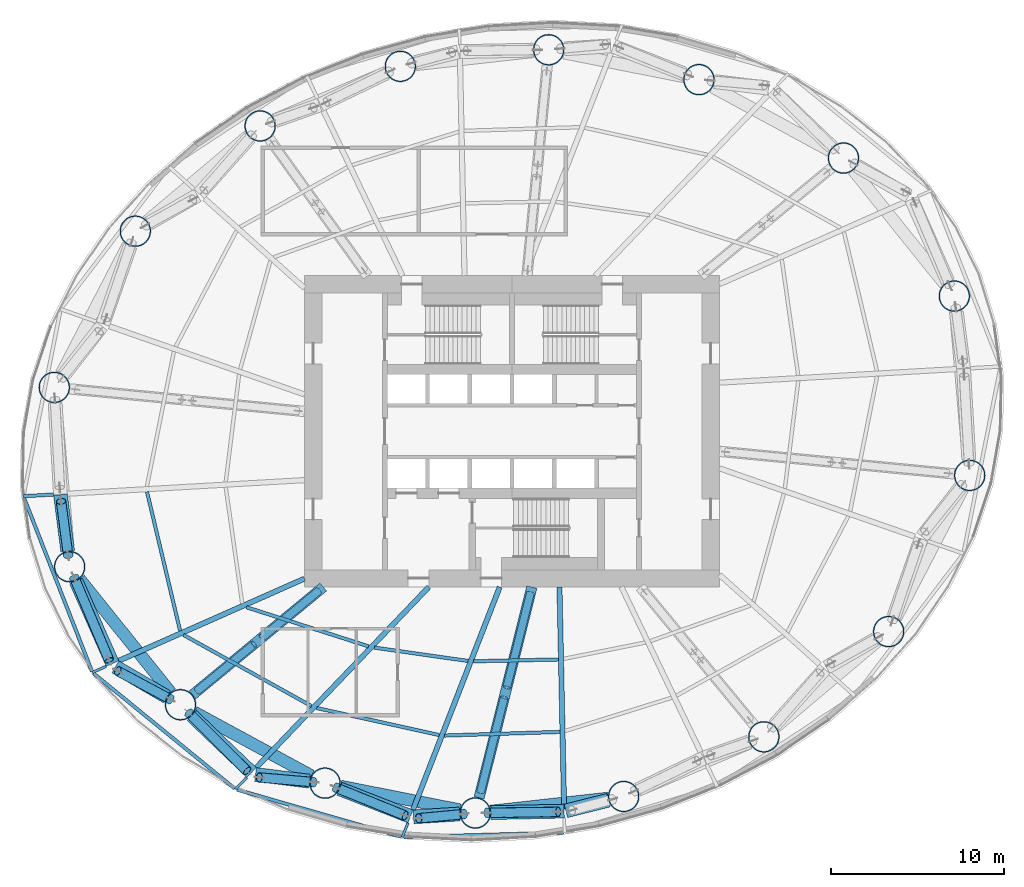
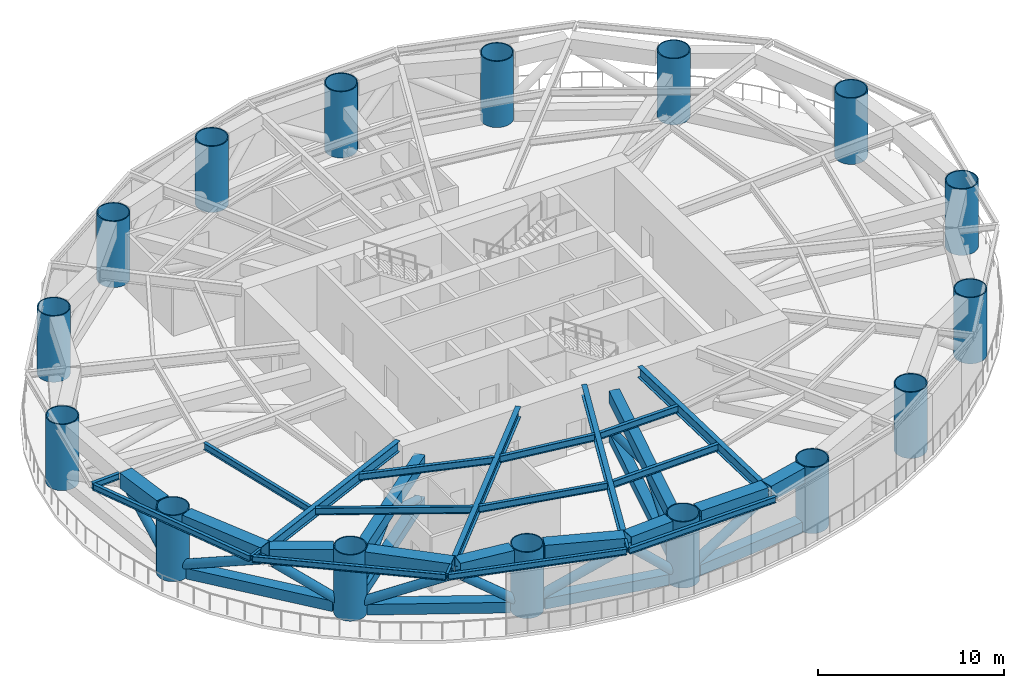
# One storey, part 1 of 15: 29 members, 19 beams, 16 columns.
"""IFC4 building model written with IfcOpenShell, lengths in metres."""

from ifc_helpers import new_model, si_unit, direction, frame, origin, origin_2d, place, context, subcontext, project, spatial, hollow_rectangle, hollow_circle, i_section, extrude, material, material_profile, profile_set, type_object, element, save


model = new_model("IFC4")

# Units and contexts
model_context = context("Model", 3, precision=1e-05, world=origin(), true_north=direction((0.0, 1.0)))
body_context = subcontext(model_context, "Body", "Model", "MODEL_VIEW")
ifc_project = project(units=[si_unit("LENGTHUNIT", "METRE"), si_unit("AREAUNIT", "SQUARE_METRE"), si_unit("VOLUMEUNIT", "CUBIC_METRE"), si_unit("PLANEANGLEUNIT", "RADIAN"), si_unit("MASSUNIT", "GRAM", prefix="KILO")], contexts=[model_context])

# Site, building, storey
site_placement = place(None, origin())
site = spatial("IfcSite", under=ifc_project, at=site_placement, CompositionType="ELEMENT")
building_placement = place(site_placement, origin())
building = spatial("IfcBuilding", under=site, at=building_placement, Name="Vermilion Reach Broadcast Tower", CompositionType="ELEMENT")
storey_placement = place(building_placement, frame((0.0, 0.0, 84.10009765625)))
storey = spatial("IfcBuildingStorey", under=building, at=storey_placement, Name="L18", CompositionType="ELEMENT", Elevation=84.10009765625)

# Columns
ifc_material_1 = material(Name="Concrete C80 infill in steel S460NL tube", Category="concrete")
ifc_material_profile_1 = material_profile(ifc_material_1, hollow_circle(Radius=0.89990234375, WallThickness=0.06005859375, at=origin_2d()), Name="Concrete C80 infill in steel S460NL tube CFT 1800x60")
ifc_profile_set_1 = profile_set([ifc_material_profile_1], Name="Concrete C80 infill in steel S460NL tube")
column_type = type_object("IfcColumnType", Name="MC1 CFT 1800x60", PredefinedType="COLUMN", material=ifc_profile_set_1)
for number, where, z_axis, x_axis, name in (
    (1, (19.575439453125, 7.823974609375, 0.0), (0.0, 0.0, 1.0), (1.0, 0.0, 0.0), "Mega-column MC1-01"),
    (2, (13.166259765625, 15.804931640625, 0.0), (0.0, 0.0, 1.0), (1.0, 0.0, 0.0), "Mega-column MC1-02"),
    (3, (4.809814453125, 20.3388671875, 0.0), (0.0, 0.0, 1.0), (1.0, 0.0, 0.0), "Mega-column MC1-03"),
    (4, (-3.87939453125, 22.06396484375, 0.0), (0.0, 0.0, 1.0), (1.0, 0.0, 0.0), "Mega-column MC1-04"),
    (5, (-12.45751953125, 21.108154296875, 0.0), (0.0, 0.0, 1.0), (1.0, 0.0, 0.0), "Mega-column MC1-05"),
    (6, (-20.563232421875, 17.660400390625, 0.0), (0.0, 0.0, 1.0), (1.0, 0.0, 0.0), "Mega-column MC1-06"),
    (7, (-27.77978515625, 11.57568359375, 0.0), (0.0, 0.0, 1.0), (1.0, 0.0, 0.0), "Mega-column MC1-07"),
    (8, (-32.464111328125, 2.54345703125, 0.0), (0.0, 0.0, 1.0), (1.0, 0.0, 0.0), "Mega-column MC1-08"),
    (9, (-31.575439453125, -7.823974609375, 0.0), (0.0, 0.0, 1.0), (1.0, 0.0, 0.0), "Mega-column MC1-09"),
    (10, (-25.166259765625, -15.804931640625, 0.0), (0.0, 0.0, 1.0), (1.0, 0.0, 0.0), "Mega-column MC1-10"),
    (11, (-16.809814453125, -20.3388671875, 0.0), (0.0, 0.0, 1.0), (1.0, 0.0, 0.0), "Mega-column MC1-11"),
    (12, (-8.12060546875, -22.06396484375, 0.0), (0.0, 0.0, 1.0), (1.0, 0.0, 0.0), "Mega-column MC1-12"),
    (13, (0.45751953125, -21.108154296875, 0.0), (0.0, 0.0, 1.0), (1.0, 0.0, 0.0), "Mega-column MC1-13"),
    (14, (8.563232421875, -17.660400390625, 0.0), (0.0, 0.0, 1.0), (1.0, 0.0, 0.0), "Mega-column MC1-14"),
    (15, (15.77978515625, -11.57568359375, 0.0), (0.0, 0.0, 1.0), (1.0, 0.0, 0.0), "Mega-column MC1-15"),
    (16, (20.464111328125, -2.54345703125, 0.0), (0.0, 0.0, 1.0), (1.0, 0.0, 0.0), "Mega-column MC1-16"),
):
    element("IfcColumn", number, at=place(storey_placement, frame(where, z_axis=z_axis, x_axis=x_axis)), inside=storey, type_object=column_type, Name=name, PredefinedType="COLUMN", context=body_context, shape_type="SweptSolid", body=[
        extrude(hollow_circle(Radius=0.89990234375, WallThickness=0.06005859375, at=origin_2d()), origin(), (0.0, 0.0, 1.0), 4.349853515625),
    ])

# Members
ifc_material_2 = material(Name="Steel S460NL", Category="steel")
ifc_material_profile_2 = material_profile(ifc_material_2, hollow_rectangle(XDim=0.699951171875, YDim=0.699951171875, WallThickness=0.034912109375, at=origin_2d()), Name="S460NL BOX 700x700x35")
ifc_profile_set_2 = profile_set([ifc_material_profile_2], Name="Steel S460NL")
member_type_1 = type_object("IfcMemberType", Name="BT1-BC BOX 700x700x35", PredefinedType="CHORD", material=ifc_profile_set_2)
member_1_placement = place(storey_placement, frame((-31.011962890625, -8.52587890625, 0.349853515625), z_axis=(0.626162157191, -0.779692858055, 0.0), x_axis=(0.779692858055, 0.626162157191, 0.0)))
element("IfcMember", 17, at=member_1_placement, inside=storey, type_object=member_type_1, Name="Belt truss bottom chord BT1-BC09", PredefinedType="CHORD", context=body_context, shape_type="SweptSolid", body=[
    extrude(hollow_rectangle(XDim=0.699951171875, YDim=0.699951171875, WallThickness=0.034912109375, at=origin_2d()), origin(), (0.0, 0.0, 1.0), 8.435791015625),
])
member_2_placement = place(storey_placement, frame((-24.375244140625, -16.234130859375, 0.349853515625), z_axis=(0.878962319551, -0.476891225344, 0.0), x_axis=(0.476891225344, 0.878962319551, 0.0)))
element("IfcMember", 18, at=member_2_placement, inside=storey, type_object=member_type_1, Name="Belt truss bottom chord BT1-BC10", PredefinedType="CHORD", context=body_context, shape_type="SweptSolid", body=[
    extrude(hollow_rectangle(XDim=0.699951171875, YDim=0.699951171875, WallThickness=0.034912109375, at=origin_2d()), origin(), (0.0, 0.0, 1.0), 7.707275390625),
])
member_3_placement = place(storey_placement, frame((-15.927001953125, -20.51416015625, 0.349853515625), z_axis=(0.980857717995, -0.194725799651, 0.0), x_axis=(0.194725799651, 0.980857717995, 0.0)))
element("IfcMember", 19, at=member_3_placement, inside=storey, type_object=member_type_1, Name="Belt truss bottom chord BT1-BC11", PredefinedType="CHORD", context=body_context, shape_type="SweptSolid", body=[
    extrude(hollow_rectangle(XDim=0.699951171875, YDim=0.699951171875, WallThickness=0.034912109375, at=origin_2d()), origin(), (0.0, 0.0, 1.0), 7.05859375),
])
member_4_placement = place(storey_placement, frame((-7.22607421875, -21.964111328125, 0.349853515625), z_axis=(0.993851439324, 0.110721798009, 0.0), x_axis=(-0.110721798009, 0.993851439324, 0.0)))
element("IfcMember", 20, at=member_4_placement, inside=storey, type_object=member_type_1, Name="Belt truss bottom chord BT1-BC12", PredefinedType="CHORD", context=body_context, shape_type="SweptSolid", body=[
    extrude(hollow_rectangle(XDim=0.699951171875, YDim=0.699951171875, WallThickness=0.034912109375, at=origin_2d()), origin(), (0.0, 0.0, 1.0), 6.8310546875),
])
ifc_material_3 = material(Name="Steel S355J2H", Category="steel")
ifc_material_profile_3 = material_profile(ifc_material_3, hollow_circle(Radius=0.279541015625, WallThickness=0.02490234375, at=origin_2d()), Name="S355J2H CHS 559x25")
ifc_profile_set_3 = profile_set([ifc_material_profile_3], Name="Steel S355J2H")
member_type_2 = type_object("IfcMemberType", Name="BT1-D CHS 559x25", PredefinedType="BRACE", material=ifc_profile_set_3)
member_5_placement = place(storey_placement, frame((-31.660400390625, -7.1796875, 0.7998046875), z_axis=(-0.102144749126, 0.772917338556, 0.626230978143), x_axis=(-0.991380295991, -0.131015681201, 0.0)))
element("IfcMember", 21, at=member_5_placement, inside=storey, type_object=member_type_2, Name="Belt truss diagonal BT1-D08B", PredefinedType="BRACE", context=body_context, shape_type="SweptSolid", body=[
    extrude(hollow_circle(Radius=0.279541015625, WallThickness=0.02490234375, at=origin_2d()), origin(), (0.0, 0.0, 1.0), 4.05615234375),
])
member_6_placement = place(storey_placement, frame((-31.32275390625, -8.423095703125, 0.7998046875), z_axis=(0.349386545183, -0.828605298732, 0.437426909276), x_axis=(0.921436355221, 0.388529333869, 0.0)))
element("IfcMember", 22, at=member_6_placement, inside=storey, type_object=member_type_2, Name="Belt truss diagonal BT1-D09A", PredefinedType="BRACE", context=body_context, shape_type="SweptSolid", body=[
    extrude(hollow_circle(Radius=0.279541015625, WallThickness=0.02490234375, at=origin_2d()), origin(), (0.0, 0.0, 1.0), 5.806884765625),
])
member_7_placement = place(storey_placement, frame((-25.739013671875, -15.49755859375, 0.7998046875), z_axis=(-0.710697232619, 0.381455049948, 0.591101927266), x_axis=(-0.472919079995, -0.881105864114, 0.0)))
element("IfcMember", 23, at=member_7_placement, inside=storey, type_object=member_type_2, Name="Belt truss diagonal BT1-D09B", PredefinedType="BRACE", context=body_context, shape_type="SweptSolid", body=[
    extrude(hollow_circle(Radius=0.279541015625, WallThickness=0.02490234375, at=origin_2d()), origin(), (0.0, 0.0, 1.0), 4.297119140625),
])
member_8_placement = place(storey_placement, frame((-24.705078125, -16.26318359375, 0.7998046875), z_axis=(0.626485584577, -0.622244648026, 0.469390466797), x_axis=(0.704701241679, 0.709504164875, 0.0)))
element("IfcMember", 24, at=member_8_placement, inside=storey, type_object=member_type_2, Name="Belt truss diagonal BT1-D10A", PredefinedType="BRACE", context=body_context, shape_type="SweptSolid", body=[
    extrude(hollow_circle(Radius=0.279541015625, WallThickness=0.02490234375, at=origin_2d()), origin(), (0.0, 0.0, 1.0), 5.411376953125),
])
member_9_placement = place(storey_placement, frame((-17.45751953125, -20.283203125, 0.7998046875), z_axis=(-0.777124142774, 0.066825458407, 0.625789441287), x_axis=(-0.085674539458, -0.996323177131, 0.0)))
element("IfcMember", 25, at=member_9_placement, inside=storey, type_object=member_type_2, Name="Belt truss diagonal BT1-D10B", PredefinedType="BRACE", context=body_context, shape_type="SweptSolid", body=[
    extrude(hollow_circle(Radius=0.279541015625, WallThickness=0.02490234375, at=origin_2d()), origin(), (0.0, 0.0, 1.0), 4.058837890625),
])
member_10_placement = place(storey_placement, frame((-16.20751953125, -20.583251953125, 0.7998046875), z_axis=(0.800150353809, -0.324404937094, 0.504500592754), x_axis=(0.375724663225, 0.926731340489, 0.0)))
element("IfcMember", 26, at=member_10_placement, inside=storey, type_object=member_type_2, Name="Belt truss diagonal BT1-D11A", PredefinedType="BRACE", context=body_context, shape_type="SweptSolid", body=[
    extrude(hollow_circle(Radius=0.279541015625, WallThickness=0.02490234375, at=origin_2d()), origin(), (0.0, 0.0, 1.0), 5.03466796875),
])
member_11_placement = place(storey_placement, frame((-8.767822265625, -22.124755859375, 0.7998046875), z_axis=(-0.717190475774, -0.06759910229, 0.693590789175), x_axis=(0.093839520276, -0.995587336417, 0.0)))
element("IfcMember", 27, at=member_11_placement, inside=storey, type_object=member_type_2, Name="Belt truss diagonal BT1-D11B", PredefinedType="BRACE", context=body_context, shape_type="SweptSolid", body=[
    extrude(hollow_circle(Radius=0.279541015625, WallThickness=0.02490234375, at=origin_2d()), origin(), (0.0, 0.0, 1.0), 3.662109375),
])
member_12_placement = place(storey_placement, frame((-7.470703125, -22.05517578125, 0.7998046875), z_axis=(0.852272311599, 0.011360279706, 0.522975000288), x_axis=(-0.013328217377, 0.999911175366, 0.0)))
element("IfcMember", 28, at=member_12_placement, inside=storey, type_object=member_type_2, Name="Belt truss diagonal BT1-D12A", PredefinedType="BRACE", context=body_context, shape_type="SweptSolid", body=[
    extrude(hollow_circle(Radius=0.279541015625, WallThickness=0.02490234375, at=origin_2d()), origin(), (0.0, 0.0, 1.0), 4.85693359375),
])
ifc_material_4 = material(Name="Steel S460NL", Category="steel")
ifc_material_profile_4 = material_profile(ifc_material_4, hollow_rectangle(XDim=0.800048828125, YDim=1.0, WallThickness=0.0400390625, at=origin_2d()), Name="S460NL BOX 800x1000x40")
ifc_profile_set_4 = profile_set([ifc_material_profile_4], Name="Steel S460NL")
member_type_3 = type_object("IfcMemberType", Name="BT1-TC BOX 800x1000x40", PredefinedType="CHORD", material=ifc_profile_set_4)
member_13_placement = place(storey_placement, frame((-32.1064453125, -3.664794921875, 3.849853515625), z_axis=(0.126642784714, -0.991948388315, 0.0), x_axis=(0.991948388315, 0.126642784714, 0.0)))
element("IfcMember", 29, at=member_13_placement, inside=storey, type_object=member_type_3, Name="Belt truss top chord BT1-TC16", PredefinedType="CHORD", context=body_context, shape_type="SweptSolid", body=[
    extrude(hollow_rectangle(XDim=0.800048828125, YDim=1.0, WallThickness=0.0400390625, at=origin_2d()), origin(), (0.0, 0.0, 1.0), 3.282958984375),
])
member_14_placement = place(storey_placement, frame((-31.207275390625, -8.65625, 3.849853515625), z_axis=(0.404643107068, -0.914474688497, 0.0), x_axis=(0.914474688497, 0.404643107068, 0.0)))
element("IfcMember", 30, at=member_14_placement, inside=storey, type_object=member_type_3, Name="Belt truss top chord BT1-TC17", PredefinedType="CHORD", context=body_context, shape_type="SweptSolid", body=[
    extrude(hollow_rectangle(XDim=0.800048828125, YDim=1.0, WallThickness=0.0400390625, at=origin_2d()), origin(), (0.0, 0.0, 1.0), 5.212890625),
])
member_15_placement = place(storey_placement, frame((-28.927001953125, -13.6142578125, 3.849853515625), z_axis=(0.86407971885, -0.503354983557, 0.0), x_axis=(0.503354983557, 0.86407971885, 0.0)))
element("IfcMember", 31, at=member_15_placement, inside=storey, type_object=member_type_3, Name="Belt truss top chord BT1-TC18", PredefinedType="CHORD", context=body_context, shape_type="SweptSolid", body=[
    extrude(hollow_rectangle(XDim=0.800048828125, YDim=1.0, WallThickness=0.0400390625, at=origin_2d()), origin(), (0.0, 0.0, 1.0), 3.442138671875),
])
member_16_placement = place(storey_placement, frame((-24.50830078125, -16.433837890625, 3.849853515625), z_axis=(0.722984436357, -0.690864317204, 0.0), x_axis=(0.690864317204, 0.722984436357, 0.0)))
element("IfcMember", 32, at=member_16_placement, inside=storey, type_object=member_type_3, Name="Belt truss top chord BT1-TC19", PredefinedType="CHORD", context=body_context, shape_type="SweptSolid", body=[
    extrude(hollow_rectangle(XDim=0.800048828125, YDim=1.0, WallThickness=0.0400390625, at=origin_2d()), origin(), (0.0, 0.0, 1.0), 4.765625),
])
member_17_placement = place(storey_placement, frame((-20.8271484375, -19.838134765625, 3.849853515625), z_axis=(0.992320901916, -0.12369004657, 0.0), x_axis=(0.12369004657, 0.992320901916, 0.0)))
element("IfcMember", 33, at=member_17_placement, inside=storey, type_object=member_type_3, Name="Belt truss top chord BT1-TC20", PredefinedType="CHORD", context=body_context, shape_type="SweptSolid", body=[
    extrude(hollow_rectangle(XDim=0.800048828125, YDim=1.0, WallThickness=0.0400390625, at=origin_2d()), origin(), (0.0, 0.0, 1.0), 3.138427734375),
])
member_18_placement = place(storey_placement, frame((-15.9619140625, -20.669189453125, 3.849853515625), z_axis=(0.931886618967, -0.362749678691, 0.0), x_axis=(0.362749678691, 0.931886618967, 0.0)))
element("IfcMember", 34, at=member_18_placement, inside=storey, type_object=member_type_3, Name="Belt truss top chord BT1-TC21", PredefinedType="CHORD", context=body_context, shape_type="SweptSolid", body=[
    extrude(hollow_rectangle(XDim=0.800048828125, YDim=1.0, WallThickness=0.0400390625, at=origin_2d()), origin(), (0.0, 0.0, 1.0), 4.387451171875),
])
member_19_placement = place(storey_placement, frame((-11.693603515625, -22.28857421875, 3.849853515625), z_axis=(0.998030815218, 0.062725528103, 0.0), x_axis=(-0.062725528103, 0.998030815218, 0.0)))
element("IfcMember", 35, at=member_19_placement, inside=storey, type_object=member_type_3, Name="Belt truss top chord BT1-TC22", PredefinedType="CHORD", context=body_context, shape_type="SweptSolid", body=[
    extrude(hollow_rectangle(XDim=0.800048828125, YDim=1.0, WallThickness=0.0400390625, at=origin_2d()), origin(), (0.0, 0.0, 1.0), 2.670166015625),
])
member_20_placement = place(storey_placement, frame((-7.2109375, -22.044921875, 3.849853515625), z_axis=(0.999782705863, 0.020845648424, 0.0), x_axis=(-0.020845648424, 0.999782705863, 0.0)))
element("IfcMember", 36, at=member_20_placement, inside=storey, type_object=member_type_3, Name="Belt truss top chord BT1-TC23", PredefinedType="CHORD", context=body_context, shape_type="SweptSolid", body=[
    extrude(hollow_rectangle(XDim=0.800048828125, YDim=1.0, WallThickness=0.0400390625, at=origin_2d()), origin(), (0.0, 0.0, 1.0), 4.22802734375),
])
member_21_placement = place(storey_placement, frame((-2.88525390625, -21.943603515625, 3.849853515625), z_axis=(0.970159490778, 0.242467652385, 0.0), x_axis=(-0.242467652385, 0.970159490778, 0.0)))
element("IfcMember", 37, at=member_21_placement, inside=storey, type_object=member_type_3, Name="Belt truss top chord BT1-TC24", PredefinedType="CHORD", context=body_context, shape_type="SweptSolid", body=[
    extrude(hollow_rectangle(XDim=0.800048828125, YDim=1.0, WallThickness=0.0400390625, at=origin_2d()), origin(), (0.0, 0.0, 1.0), 2.535400390625),
])

# Beams
ifc_material_5 = material(Name="Steel S355J2", Category="steel")
ifc_material_profile_5 = material_profile(ifc_material_5, i_section(OverallWidth=0.199951171875, OverallDepth=0.39990234375, WebThickness=0.008056640625, FlangeThickness=0.012939453125, at=origin_2d()), Name="S355J2 HN 400x200x8x13")
ifc_profile_set_5 = profile_set([ifc_material_profile_5], Name="Steel S355J2")
beam_type_1 = type_object("IfcBeamType", Name="EB2 HN 400x200x8x13", PredefinedType="BEAM", material=ifc_profile_set_5)
beam_1_placement = place(storey_placement, frame((-34.212646484375, -3.84814453125, 4.14990234375), z_axis=(0.364562728951, -0.931178831729, 0.0), x_axis=(0.931178831729, 0.364562728951, 0.0)))
element("IfcBeam", 38, at=beam_1_placement, inside=storey, type_object=beam_type_1, Name="Edge beam EB2-08", PredefinedType="BEAM", context=body_context, shape_type="SweptSolid", body=[
    extrude(i_section(OverallWidth=0.199951171875, OverallDepth=0.39990234375, WebThickness=0.008056640625, FlangeThickness=0.012939453125, at=origin_2d()), origin(), (0.0, 0.0, 1.0), 10.760986328125),
])
beam_2_placement = place(storey_placement, frame((-30.197021484375, -13.99169921875, 4.14990234375), z_axis=(0.774674189171, -0.632360578019, 0.0), x_axis=(0.632360578019, 0.774674189171, 0.0)))
element("IfcBeam", 39, at=beam_2_placement, inside=storey, type_object=beam_type_1, Name="Edge beam EB2-09", PredefinedType="BEAM", context=body_context, shape_type="SweptSolid", body=[
    extrude(i_section(OverallWidth=0.199951171875, OverallDepth=0.39990234375, WebThickness=0.008056640625, FlangeThickness=0.012939453125, at=origin_2d()), origin(), (0.0, 0.0, 1.0), 10.52294921875),
])
beam_3_placement = place(storey_placement, frame((-21.905517578125, -20.716796875, 4.14990234375), z_axis=(0.961163948934, -0.275978012294, 0.0), x_axis=(0.275978012294, 0.961163948934, 0.0)))
element("IfcBeam", 40, at=beam_3_placement, inside=storey, type_object=beam_type_1, Name="Edge beam EB2-10", PredefinedType="BEAM", context=body_context, shape_type="SweptSolid", body=[
    extrude(i_section(OverallWidth=0.199951171875, OverallDepth=0.39990234375, WebThickness=0.008056640625, FlangeThickness=0.012939453125, at=origin_2d()), origin(), (0.0, 0.0, 1.0), 9.875244140625),
])
beam_4_placement = place(storey_placement, frame((-12.260009765625, -23.460693359375, 4.14990234375), z_axis=(0.999611355727, 0.027877186033, 0.0), x_axis=(-0.027877186033, 0.999611355727, 0.0)))
element("IfcBeam", 41, at=beam_4_placement, inside=storey, type_object=beam_type_1, Name="Edge beam EB2-11", PredefinedType="BEAM", context=body_context, shape_type="SweptSolid", body=[
    extrude(i_section(OverallWidth=0.199951171875, OverallDepth=0.39990234375, WebThickness=0.008056640625, FlangeThickness=0.012939453125, at=origin_2d()), origin(), (0.0, 0.0, 1.0), 9.230712890625),
])
ifc_material_6 = material(Name="Steel S355J2", Category="steel")
ifc_material_profile_6 = material_profile(ifc_material_6, i_section(OverallWidth=0.300048828125, OverallDepth=0.699951171875, WebThickness=0.012939453125, FlangeThickness=0.02392578125, at=origin_2d()), Name="S355J2 HN 700x300x13x24")
ifc_profile_set_6 = profile_set([ifc_material_profile_6], Name="Steel S355J2")
beam_type_2 = type_object("IfcBeamType", Name="G2 HN 700x300x13x24", PredefinedType="BEAM", material=ifc_profile_set_6)
beam_5_placement = place(storey_placement, frame((-18.0, -8.512939453125, 4.0), z_axis=(-0.914484567844, -0.404620779466, 0.0), x_axis=(0.404620779466, -0.914484567844, 0.0)))
element("IfcBeam", 42, at=beam_5_placement, inside=storey, type_object=beam_type_2, Name="Girder G2-09", PredefinedType="BEAM", context=body_context, shape_type="SweptSolid", body=[
    extrude(i_section(OverallWidth=0.300048828125, OverallDepth=0.699951171875, WebThickness=0.012939453125, FlangeThickness=0.02392578125, at=origin_2d()), origin(), (0.0, 0.0, 1.0), 11.73583984375),
])
beam_6_placement = place(storey_placement, frame((-10.81298828125, -9.0, 4.0), z_axis=(-0.690866611589, -0.722982243897, 0.0), x_axis=(0.722982243897, -0.690866611589, 0.0)))
element("IfcBeam", 43, at=beam_6_placement, inside=storey, type_object=beam_type_2, Name="Girder G2-10", PredefinedType="BEAM", context=body_context, shape_type="SweptSolid", body=[
    extrude(i_section(OverallWidth=0.300048828125, OverallDepth=0.699951171875, WebThickness=0.012939453125, FlangeThickness=0.02392578125, at=origin_2d()), origin(), (0.0, 0.0, 1.0), 14.43603515625),
])
beam_7_placement = place(storey_placement, frame((-6.7109375, -9.0, 4.0), z_axis=(-0.362782729277, -0.931873752897, 0.0), x_axis=(0.931873752897, -0.362782729277, 0.0)))
element("IfcBeam", 44, at=beam_7_placement, inside=storey, type_object=beam_type_2, Name="Girder G2-11", PredefinedType="BEAM", context=body_context, shape_type="SweptSolid", body=[
    extrude(i_section(OverallWidth=0.300048828125, OverallDepth=0.699951171875, WebThickness=0.012939453125, FlangeThickness=0.02392578125, at=origin_2d()), origin(), (0.0, 0.0, 1.0), 13.830078125),
])
beam_8_placement = place(storey_placement, frame((-3.254150390625, -9.0, 4.0), z_axis=(0.02085755404, -0.999782457557, 0.0), x_axis=(0.999782457557, 0.02085755404, 0.0)))
element("IfcBeam", 45, at=beam_8_placement, inside=storey, type_object=beam_type_2, Name="Girder G2-12", PredefinedType="BEAM", context=body_context, shape_type="SweptSolid", body=[
    extrude(i_section(OverallWidth=0.300048828125, OverallDepth=0.699951171875, WebThickness=0.012939453125, FlangeThickness=0.02392578125, at=origin_2d()), origin(), (0.0, 0.0, 1.0), 12.5595703125),
])
ifc_material_7 = material(Name="Steel S355J2", Category="steel")
ifc_material_profile_7 = material_profile(ifc_material_7, i_section(OverallWidth=0.199951171875, OverallDepth=0.39990234375, WebThickness=0.008056640625, FlangeThickness=0.012939453125, at=origin_2d()), Name="S355J2 HN 400x200x8x13")
ifc_profile_set_7 = profile_set([ifc_material_profile_7], Name="Steel S355J2")
beam_type_3 = type_object("IfcBeamType", Name="GC2 HN 400x200x8x13", PredefinedType="BEAM", material=ifc_profile_set_7)
beam_9_placement = place(storey_placement, frame((-32.50927734375, -3.650146484375, 4.14990234375), z_axis=(-0.998353067309, -0.057368571492, 0.0), x_axis=(0.057368571492, -0.998353067309, 0.0)))
element("IfcBeam", 46, at=beam_9_placement, inside=storey, type_object=beam_type_3, Name="Cantilever girder GC2-08", PredefinedType="BEAM", context=body_context, shape_type="SweptSolid", body=[
    extrude(i_section(OverallWidth=0.199951171875, OverallDepth=0.39990234375, WebThickness=0.008056640625, FlangeThickness=0.012939453125, at=origin_2d()), origin(), (0.0, 0.0, 1.0), 1.744873046875),
])
ifc_material_8 = material(Name="Steel S355J2", Category="steel")
ifc_material_profile_8 = material_profile(ifc_material_8, i_section(OverallWidth=0.14990234375, OverallDepth=0.300048828125, WebThickness=0.006591796875, FlangeThickness=0.009033203125, at=origin_2d()), Name="S355J2 HN 300x150x6.5x9")
ifc_profile_set_8 = profile_set([ifc_material_profile_8], Name="Steel S355J2")
beam_type_4 = type_object("IfcBeamType", Name="GS2 HN 300x150x6.5x9", PredefinedType="BEAM", material=ifc_profile_set_8)
beam_10_placement = place(storey_placement, frame((-29.463623046875, -13.585205078125, 4.199951171875), z_axis=(-0.914513457576, -0.404555479399, 0.0), x_axis=(0.404555479399, -0.914513457576, 0.0)))
element("IfcBeam", 47, at=beam_10_placement, inside=storey, type_object=beam_type_4, Name="Cantilever stub GS2-09", PredefinedType="BEAM", context=body_context, shape_type="SweptSolid", body=[
    extrude(i_section(OverallWidth=0.14990234375, OverallDepth=0.300048828125, WebThickness=0.006591796875, FlangeThickness=0.009033203125, at=origin_2d()), origin(), (0.0, 0.0, 1.0), 0.873291015625),
])
beam_11_placement = place(storey_placement, frame((-21.3388671875, -20.015380859375, 4.199951171875), z_axis=(-0.690915224697, -0.722935787108, 0.0), x_axis=(0.722935787108, -0.690915224697, 0.0)))
element("IfcBeam", 48, at=beam_11_placement, inside=storey, type_object=beam_type_4, Name="Cantilever stub GS2-10", PredefinedType="BEAM", context=body_context, shape_type="SweptSolid", body=[
    extrude(i_section(OverallWidth=0.14990234375, OverallDepth=0.300048828125, WebThickness=0.006591796875, FlangeThickness=0.009033203125, at=origin_2d()), origin(), (0.0, 0.0, 1.0), 0.937744140625),
])
beam_12_placement = place(storey_placement, frame((-12.0185546875, -22.633544921875, 4.199951171875), z_axis=(-0.362671308527, -0.931917121836, 0.0), x_axis=(0.931917121836, -0.362671308527, 0.0)))
element("IfcBeam", 49, at=beam_12_placement, inside=storey, type_object=beam_type_4, Name="Cantilever stub GS2-11", PredefinedType="BEAM", context=body_context, shape_type="SweptSolid", body=[
    extrude(i_section(OverallWidth=0.14990234375, OverallDepth=0.300048828125, WebThickness=0.006591796875, FlangeThickness=0.009033203125, at=origin_2d()), origin(), (0.0, 0.0, 1.0), 0.889892578125),
])

# Members
ifc_material_9 = material(Name="Steel S460NL", Category="steel")
ifc_material_profile_9 = material_profile(ifc_material_9, hollow_rectangle(XDim=0.60009765625, YDim=0.60009765625, WallThickness=0.030029296875, at=origin_2d()), Name="S460NL BOX 600x600x30")
ifc_profile_set_9 = profile_set([ifc_material_profile_9], Name="Steel S460NL")
member_type_4 = type_object("IfcMemberType", Name="OR1-BC BOX 600x600x30", PredefinedType="CHORD", material=ifc_profile_set_9)
member_22_placement = place(storey_placement, frame((-16.9140625, -9.0, 0.2998046875), z_axis=(-0.771514256373, -0.636212034005, 0.0), x_axis=(0.636212034005, -0.771514256373, 0.0)))
element("IfcMember", 50, at=member_22_placement, inside=storey, type_object=member_type_4, Name="Outrigger bottom chord OR1-10", PredefinedType="CHORD", context=body_context, shape_type="SweptSolid", body=[
    extrude(hollow_rectangle(XDim=0.60009765625, YDim=0.60009765625, WallThickness=0.030029296875, at=origin_2d()), origin(), (0.0, 0.0, 1.0), 9.796142578125),
])
member_23_placement = place(storey_placement, frame((-4.85009765625, -9.0, 0.2998046875), z_axis=(-0.242855584193, -0.970062454292, 0.0), x_axis=(0.970062454292, -0.242855584193, 0.0)))
element("IfcMember", 51, at=member_23_placement, inside=storey, type_object=member_type_4, Name="Outrigger bottom chord OR1-12", PredefinedType="CHORD", context=body_context, shape_type="SweptSolid", body=[
    extrude(hollow_rectangle(XDim=0.60009765625, YDim=0.60009765625, WallThickness=0.030029296875, at=origin_2d()), origin(), (0.0, 0.0, 1.0), 12.567138671875),
])
ifc_material_10 = material(Name="Steel S355J2H", Category="steel")
ifc_material_profile_10 = material_profile(ifc_material_10, hollow_circle(Radius=0.228515625, WallThickness=0.02001953125, at=origin_2d()), Name="S355J2H CHS 457x20")
ifc_profile_set_10 = profile_set([ifc_material_profile_10], Name="Steel S355J2H")
member_type_5 = type_object("IfcMemberType", Name="OR1-D CHS 457x20", PredefinedType="BRACE", material=ifc_profile_set_10)
member_24_placement = place(storey_placement, frame((-17.18408203125, -9.22265625, 0.599853515625), z_axis=(-0.701165848918, -0.578211110512, 0.417179055073), x_axis=(0.63621879477, -0.77150868121, 0.0)))
element("IfcMember", 52, at=member_24_placement, inside=storey, type_object=member_type_5, Name="Outrigger diagonal OR1-10-DA", PredefinedType="BRACE", context=body_context, shape_type="SweptSolid", body=[
    extrude(hollow_circle(Radius=0.228515625, WallThickness=0.02001953125, at=origin_2d()), origin(), (0.0, 0.0, 1.0), 4.674072265625),
])
member_25_placement = place(storey_placement, frame((-24.201904296875, -15.009765625, 0.599853515625), z_axis=(0.701192400587, 0.578189934786, 0.417163776796), x_axis=(-0.636190585394, 0.771531942991, 0.0)))
element("IfcMember", 53, at=member_25_placement, inside=storey, type_object=member_type_5, Name="Outrigger diagonal OR1-10-DB", PredefinedType="BRACE", context=body_context, shape_type="SweptSolid", body=[
    extrude(hollow_circle(Radius=0.228515625, WallThickness=0.02001953125, at=origin_2d()), origin(), (0.0, 0.0, 1.0), 4.67431640625),
])
for number, where, z_axis, x_axis, name in (
    (54, (-4.93505859375, -9.339599609375, 0.599853515625), (-0.229502495333, -0.916699474578, 0.327094295187), (0.970060869281, -0.242861915272, 0.0), "Outrigger diagonal OR1-12-DA"),
    (55, (-7.817138671875, -20.851318359375, 0.599853515625), (0.229502495333, 0.916699474578, 0.327094295187), (-0.970060869281, 0.242861915272, 0.0), "Outrigger diagonal OR1-12-DB"),
):
    element("IfcMember", number, at=place(storey_placement, frame(where, z_axis=z_axis, x_axis=x_axis)), inside=storey, type_object=member_type_5, Name=name, PredefinedType="BRACE", context=body_context, shape_type="SweptSolid", body=[
        extrude(hollow_circle(Radius=0.228515625, WallThickness=0.02001953125, at=origin_2d()), origin(), (0.0, 0.0, 1.0), 5.96142578125),
    ])
ifc_material_11 = material(Name="Steel S460NL", Category="steel")
ifc_material_profile_11 = material_profile(ifc_material_11, hollow_rectangle(XDim=0.60009765625, YDim=0.800048828125, WallThickness=0.030029296875, at=origin_2d()), Name="S460NL BOX 600x800x30")
ifc_profile_set_11 = profile_set([ifc_material_profile_11], Name="Steel S460NL")
member_type_6 = type_object("IfcMemberType", Name="OR1-TC BOX 600x800x30", PredefinedType="CHORD", material=ifc_profile_set_11)
member_26_placement = place(storey_placement, frame((-16.9140625, -9.0, 2.949951171875), z_axis=(-0.771514256373, -0.636212034005, 0.0), x_axis=(0.636212034005, -0.771514256373, 0.0)))
element("IfcMember", 56, at=member_26_placement, inside=storey, type_object=member_type_6, Name="Outrigger top chord OR1-10", PredefinedType="CHORD", context=body_context, shape_type="SweptSolid", body=[
    extrude(hollow_rectangle(XDim=0.60009765625, YDim=0.800048828125, WallThickness=0.030029296875, at=origin_2d()), origin(), (0.0, 0.0, 1.0), 9.796142578125),
])
member_27_placement = place(storey_placement, frame((-4.85009765625, -9.0, 2.949951171875), z_axis=(-0.242855584193, -0.970062454292, 0.0), x_axis=(0.970062454292, -0.242855584193, 0.0)))
element("IfcMember", 57, at=member_27_placement, inside=storey, type_object=member_type_6, Name="Outrigger top chord OR1-12", PredefinedType="CHORD", context=body_context, shape_type="SweptSolid", body=[
    extrude(hollow_rectangle(XDim=0.60009765625, YDim=0.800048828125, WallThickness=0.030029296875, at=origin_2d()), origin(), (0.0, 0.0, 1.0), 12.567138671875),
])

# Beams
ifc_material_12 = material(Name="Steel S355J2", Category="steel")
ifc_material_profile_12 = material_profile(ifc_material_12, i_section(OverallWidth=0.199951171875, OverallDepth=0.449951171875, WebThickness=0.009033203125, FlangeThickness=0.013916015625, at=origin_2d()), Name="S355J2 HN 450x200x9x14")
ifc_profile_set_12 = profile_set([ifc_material_profile_12], Name="Steel S355J2")
beam_type_5 = type_object("IfcBeamType", Name="SB2 HN 450x200x9x14", PredefinedType="BEAM", material=ifc_profile_set_12)
beam_13_placement = place(storey_placement, frame((-27.10498046875, -3.490234375, 4.125), z_axis=(0.231677767479, -0.972792584293, 0.0), x_axis=(0.972792584293, 0.231677767479, 0.0)))
element("IfcBeam", 58, at=beam_13_placement, inside=storey, type_object=beam_type_5, Name="Secondary beam SB2-08-2", PredefinedType="BEAM", context=body_context, shape_type="SweptSolid", body=[
    extrude(i_section(OverallWidth=0.199951171875, OverallDepth=0.449951171875, WebThickness=0.009033203125, FlangeThickness=0.013916015625, at=origin_2d()), origin(), (0.0, 0.0, 1.0), 8.264892578125),
])
beam_14_placement = place(storey_placement, frame((-21.3623046875, -10.164794921875, 4.125), z_axis=(0.952332792241, -0.305061064089, 0.0), x_axis=(0.305061064089, 0.952332792241, 0.0)))
element("IfcBeam", 59, at=beam_14_placement, inside=storey, type_object=beam_type_5, Name="Secondary beam SB2-09-1", PredefinedType="BEAM", context=body_context, shape_type="SweptSolid", body=[
    extrude(i_section(OverallWidth=0.199951171875, OverallDepth=0.449951171875, WebThickness=0.009033203125, FlangeThickness=0.013916015625, at=origin_2d()), origin(), (0.0, 0.0, 1.0), 7.419677734375),
])
beam_15_placement = place(storey_placement, frame((-24.990478515625, -11.77001953125, 4.125), z_axis=(0.873879442555, -0.486142694977, 0.0), x_axis=(0.486142694977, 0.873879442555, 0.0)))
element("IfcBeam", 60, at=beam_15_placement, inside=storey, type_object=beam_type_5, Name="Secondary beam SB2-09-2", PredefinedType="BEAM", context=body_context, shape_type="SweptSolid", body=[
    extrude(i_section(OverallWidth=0.199951171875, OverallDepth=0.449951171875, WebThickness=0.009033203125, FlangeThickness=0.013916015625, at=origin_2d()), origin(), (0.0, 0.0, 1.0), 8.4599609375),
])
beam_16_placement = place(storey_placement, frame((-13.954833984375, -12.5048828125, 4.125), z_axis=(0.990066909371, -0.140596994879, 0.0), x_axis=(0.140596994879, 0.990066909371, 0.0)))
element("IfcBeam", 61, at=beam_16_placement, inside=storey, type_object=beam_type_5, Name="Secondary beam SB2-10-1", PredefinedType="BEAM", context=body_context, shape_type="SweptSolid", body=[
    extrude(i_section(OverallWidth=0.199951171875, OverallDepth=0.449951171875, WebThickness=0.009033203125, FlangeThickness=0.013916015625, at=origin_2d()), origin(), (0.0, 0.0, 1.0), 5.473388671875),
])
beam_17_placement = place(storey_placement, frame((-17.29052734375, -15.995849609375, 4.125), z_axis=(0.976515238852, -0.215448342507, 0.0), x_axis=(0.215448342507, 0.976515238852, 0.0)))
element("IfcBeam", 62, at=beam_17_placement, inside=storey, type_object=beam_type_5, Name="Secondary beam SB2-10-2", PredefinedType="BEAM", context=body_context, shape_type="SweptSolid", body=[
    extrude(i_section(OverallWidth=0.199951171875, OverallDepth=0.449951171875, WebThickness=0.009033203125, FlangeThickness=0.013916015625, at=origin_2d()), origin(), (0.0, 0.0, 1.0), 7.2568359375),
])
beam_18_placement = place(storey_placement, frame((-8.22119140625, -13.29248046875, 4.125), z_axis=(0.999776289961, 0.021151123661, 0.0), x_axis=(-0.021151123661, 0.999776289961, 0.0)))
element("IfcBeam", 63, at=beam_18_placement, inside=storey, type_object=beam_type_5, Name="Secondary beam SB2-11-1", PredefinedType="BEAM", context=body_context, shape_type="SweptSolid", body=[
    extrude(i_section(OverallWidth=0.199951171875, OverallDepth=0.449951171875, WebThickness=0.009033203125, FlangeThickness=0.013916015625, at=origin_2d()), origin(), (0.0, 0.0, 1.0), 4.905517578125),
])
beam_19_placement = place(storey_placement, frame((-9.892822265625, -17.5869140625, 4.125), z_axis=(0.999499310281, 0.031640618623, 0.0), x_axis=(-0.031640618623, 0.999499310281, 0.0)))
element("IfcBeam", 64, at=beam_19_placement, inside=storey, type_object=beam_type_5, Name="Secondary beam SB2-11-2", PredefinedType="BEAM", context=body_context, shape_type="SweptSolid", body=[
    extrude(i_section(OverallWidth=0.199951171875, OverallDepth=0.449951171875, WebThickness=0.009033203125, FlangeThickness=0.013916015625, at=origin_2d()), origin(), (0.0, 0.0, 1.0), 6.666748046875),
])

save(model, "model.ifc")
